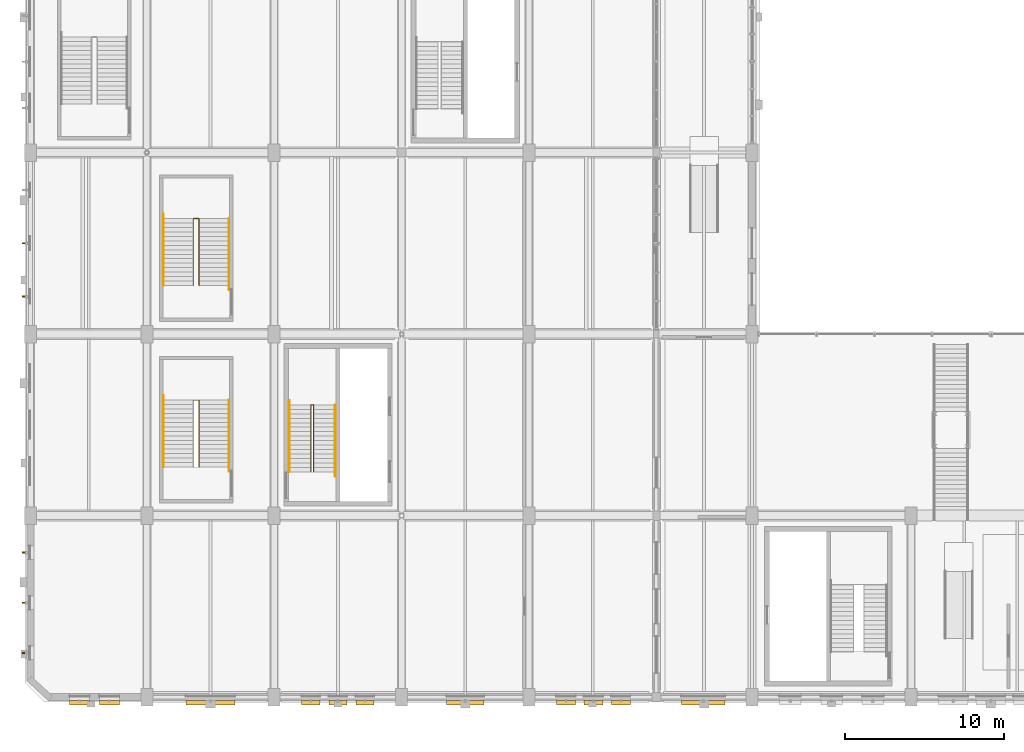
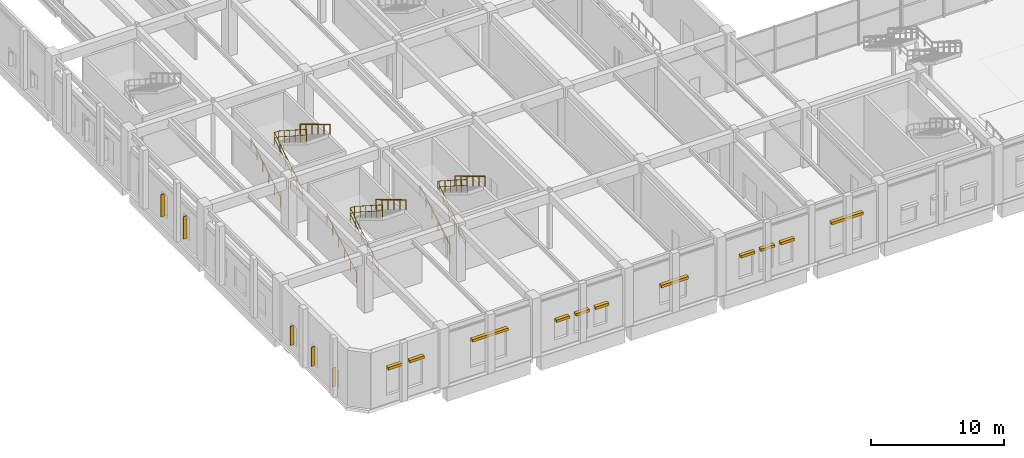
# One storey, part 106 of 113: 16 shading devices, 9 railings.
"""IFC4 building model written with IfcOpenShell, lengths in metres."""

from ifc_helpers import new_model, si_unit, direction, frame, origin, origin_2d, place, context, subcontext, project, spatial, rectangle, circle, extrude, material, type_object, element, save


model = new_model("IFC4")

# Units and contexts
model_context = context("Model", 3, precision=1e-05, world=origin(), true_north=direction((0.0, 1.0)))
body_context = subcontext(model_context, "Body", "Model", "MODEL_VIEW")
ifc_project = project(units=[si_unit("LENGTHUNIT", "METRE"), si_unit("AREAUNIT", "SQUARE_METRE"), si_unit("VOLUMEUNIT", "CUBIC_METRE"), si_unit("PLANEANGLEUNIT", "RADIAN"), si_unit("MASSUNIT", "GRAM", prefix="KILO"), si_unit("POWERUNIT", "WATT"), si_unit("THERMODYNAMICTEMPERATUREUNIT", "KELVIN")], contexts=[model_context])

# Site, building, storey
site_placement = place(None, origin())
site = spatial("IfcSite", under=ifc_project, at=site_placement, CompositionType="ELEMENT")
building_placement = place(site_placement, origin())
building = spatial("IfcBuilding", under=site, at=building_placement, Name="Kelmbourne Parkland Aquatics Centre", CompositionType="ELEMENT")
storey_placement = place(building_placement, origin())
storey = spatial("IfcBuildingStorey", under=building, at=storey_placement, Name="L00", CompositionType="ELEMENT", Elevation=0.0)

# Railings
ifc_material_1 = material(Name="Grade 316 marine stainless steel", Category="steel")
railing_type_1 = type_object("IfcRailingType", Name="RL-GD-112", PredefinedType="GUARDRAIL", material=ifc_material_1)
railing_1_placement = place(storey_placement, frame((18.307373046875, 14.949951171875, 0.0)))
element("IfcRailing", 1, at=railing_1_placement, inside=storey, type_object=railing_type_1, Name="West Wing South Fire-Fighting Core Stair ST01 well guardrail", PredefinedType="GUARDRAIL", context=body_context, shape_type="SweptSolid", body=[
    extrude(circle(Radius=0.02392578125, at=origin_2d()), frame((0.0, 0.0, 1.09619140625), z_axis=(0.0, 0.841180064094, 0.540755119968), x_axis=(-1.0, 0.0, 0.0)), (0.0, 0.0, 1.0), 4.992919921875),
    extrude(circle(Radius=0.02392578125, at=origin_2d()), frame((0.0, 0.0, 0.56005859375), z_axis=(0.0, 0.841180064094, 0.540755119968), x_axis=(-1.0, 0.0, 0.0)), (0.0, 0.0, 1.0), 4.992919921875),
    extrude(circle(Radius=0.02392578125, at=origin_2d()), frame((0.0, 4.199951171875, 3.7958984375), z_axis=(1.0, 0.0, 0.0), x_axis=(0.0, 1.0, 0.0)), (0.0, 0.0, 1.0), 0.16015625),
    extrude(circle(Radius=0.02392578125, at=origin_2d()), frame((0.0, 4.199951171875, 3.260009765625), z_axis=(1.0, 0.0, 0.0), x_axis=(0.0, 1.0, 0.0)), (0.0, 0.0, 1.0), 0.16015625),
    extrude(circle(Radius=0.02392578125, at=origin_2d()), frame((0.16015625, 4.199951171875, 3.7958984375), z_axis=(0.0, -0.841180064094, 0.540755119968), x_axis=(1.0, 0.0, 0.0)), (0.0, 0.0, 1.0), 4.992919921875),
    extrude(circle(Radius=0.02392578125, at=origin_2d()), frame((0.16015625, 4.199951171875, 3.260009765625), z_axis=(0.0, -0.841180064094, 0.540755119968), x_axis=(1.0, 0.0, 0.0)), (0.0, 0.0, 1.0), 4.992919921875),
    extrude(circle(Radius=0.02099609375, at=origin_2d()), origin(), (0.0, 0.0, 1.0), 1.072021484375),
    extrude(circle(Radius=0.02099609375, at=origin_2d()), frame((0.0, 0.840087890625, 0.5400390625)), (0.0, 0.0, 1.0), 1.072021484375),
    extrude(circle(Radius=0.02099609375, at=origin_2d()), frame((0.0, 1.679931640625, 1.080078125)), (0.0, 0.0, 1.0), 1.072021484375),
    extrude(circle(Radius=0.02099609375, at=origin_2d()), frame((0.0, 2.52001953125, 1.619873046875)), (0.0, 0.0, 1.0), 1.072021484375),
    extrude(circle(Radius=0.02099609375, at=origin_2d()), frame((0.0, 3.35986328125, 2.159912109375)), (0.0, 0.0, 1.0), 1.072021484375),
    extrude(circle(Radius=0.02099609375, at=origin_2d()), frame((0.0, 4.199951171875, 2.699951171875)), (0.0, 0.0, 1.0), 1.072021484375),
    extrude(circle(Radius=0.02099609375, at=origin_2d()), frame((0.16015625, 4.199951171875, 2.699951171875)), (0.0, 0.0, 1.0), 1.072021484375),
    extrude(circle(Radius=0.02099609375, at=origin_2d()), frame((0.16015625, 3.35986328125, 3.239990234375)), (0.0, 0.0, 1.0), 1.072021484375),
    extrude(circle(Radius=0.02099609375, at=origin_2d()), frame((0.16015625, 2.52001953125, 3.780029296875)), (0.0, 0.0, 1.0), 1.072021484375),
    extrude(circle(Radius=0.02099609375, at=origin_2d()), frame((0.16015625, 1.679931640625, 4.31982421875)), (0.0, 0.0, 1.0), 1.072021484375),
    extrude(circle(Radius=0.02099609375, at=origin_2d()), frame((0.16015625, 0.840087890625, 4.85986328125)), (0.0, 0.0, 1.0), 1.072021484375),
    extrude(circle(Radius=0.02099609375, at=origin_2d()), frame((0.16015625, 0.0, 5.39990234375)), (0.0, 0.0, 1.0), 1.072021484375),
])
railing_2_placement = place(storey_placement, frame((10.919921875, 15.25, 0.0)))
element("IfcRailing", 2, at=railing_2_placement, inside=storey, type_object=railing_type_1, Name="West South Perimeter Exit Stair well guardrail", PredefinedType="GUARDRAIL", context=body_context, shape_type="SweptSolid", body=[
    extrude(circle(Radius=0.02392578125, at=origin_2d()), frame((0.0, 0.0, 1.09619140625), z_axis=(0.0, 0.841180064094, 0.540755119968), x_axis=(-1.0, 0.0, 0.0)), (0.0, 0.0, 1.0), 4.992919921875),
    extrude(circle(Radius=0.02392578125, at=origin_2d()), frame((0.0, 0.0, 0.56005859375), z_axis=(0.0, 0.841180064094, 0.540755119968), x_axis=(-1.0, 0.0, 0.0)), (0.0, 0.0, 1.0), 4.992919921875),
    extrude(circle(Radius=0.02392578125, at=origin_2d()), frame((0.0, 4.199951171875, 3.7958984375), z_axis=(1.0, 0.0, 0.0), x_axis=(0.0, 1.0, 0.0)), (0.0, 0.0, 1.0), 0.360107421875),
    extrude(circle(Radius=0.02392578125, at=origin_2d()), frame((0.0, 4.199951171875, 3.260009765625), z_axis=(1.0, 0.0, 0.0), x_axis=(0.0, 1.0, 0.0)), (0.0, 0.0, 1.0), 0.360107421875),
    extrude(circle(Radius=0.02392578125, at=origin_2d()), frame((0.360107421875, 4.199951171875, 3.7958984375), z_axis=(0.0, -0.841180064094, 0.540755119968), x_axis=(1.0, 0.0, 0.0)), (0.0, 0.0, 1.0), 4.992919921875),
    extrude(circle(Radius=0.02392578125, at=origin_2d()), frame((0.360107421875, 4.199951171875, 3.260009765625), z_axis=(0.0, -0.841180064094, 0.540755119968), x_axis=(1.0, 0.0, 0.0)), (0.0, 0.0, 1.0), 4.992919921875),
    extrude(circle(Radius=0.02099609375, at=origin_2d()), origin(), (0.0, 0.0, 1.0), 1.072021484375),
    extrude(circle(Radius=0.02099609375, at=origin_2d()), frame((0.0, 0.840087890625, 0.5400390625)), (0.0, 0.0, 1.0), 1.072021484375),
    extrude(circle(Radius=0.02099609375, at=origin_2d()), frame((0.0, 1.679931640625, 1.080078125)), (0.0, 0.0, 1.0), 1.072021484375),
    extrude(circle(Radius=0.02099609375, at=origin_2d()), frame((0.0, 2.52001953125, 1.619873046875)), (0.0, 0.0, 1.0), 1.072021484375),
    extrude(circle(Radius=0.02099609375, at=origin_2d()), frame((0.0, 3.35986328125, 2.159912109375)), (0.0, 0.0, 1.0), 1.072021484375),
    extrude(circle(Radius=0.02099609375, at=origin_2d()), frame((0.0, 4.199951171875, 2.699951171875)), (0.0, 0.0, 1.0), 1.072021484375),
    extrude(circle(Radius=0.02099609375, at=origin_2d()), frame((0.360107421875, 4.199951171875, 2.699951171875)), (0.0, 0.0, 1.0), 1.072021484375),
    extrude(circle(Radius=0.02099609375, at=origin_2d()), frame((0.360107421875, 3.35986328125, 3.239990234375)), (0.0, 0.0, 1.0), 1.072021484375),
    extrude(circle(Radius=0.02099609375, at=origin_2d()), frame((0.360107421875, 2.52001953125, 3.780029296875)), (0.0, 0.0, 1.0), 1.072021484375),
    extrude(circle(Radius=0.02099609375, at=origin_2d()), frame((0.360107421875, 1.679931640625, 4.31982421875)), (0.0, 0.0, 1.0), 1.072021484375),
    extrude(circle(Radius=0.02099609375, at=origin_2d()), frame((0.360107421875, 0.840087890625, 4.85986328125)), (0.0, 0.0, 1.0), 1.072021484375),
    extrude(circle(Radius=0.02099609375, at=origin_2d()), frame((0.360107421875, 0.0, 5.39990234375)), (0.0, 0.0, 1.0), 1.072021484375),
])
railing_3_placement = place(storey_placement, frame((10.919921875, 26.64990234375, 0.0)))
element("IfcRailing", 3, at=railing_3_placement, inside=storey, type_object=railing_type_1, Name="West Central Park Exit Stair well guardrail", PredefinedType="GUARDRAIL", context=body_context, shape_type="SweptSolid", body=[
    extrude(circle(Radius=0.02392578125, at=origin_2d()), frame((0.0, 0.0, 1.09619140625), z_axis=(0.0, 0.841194361566, 0.540732878665), x_axis=(-1.0, 0.0, 0.0)), (0.0, 0.0, 1.0), 4.9931640625),
    extrude(circle(Radius=0.02392578125, at=origin_2d()), frame((0.0, 0.0, 0.56005859375), z_axis=(0.0, 0.841194361566, 0.540732878665), x_axis=(-1.0, 0.0, 0.0)), (0.0, 0.0, 1.0), 4.9931640625),
    extrude(circle(Radius=0.02392578125, at=origin_2d()), frame((0.0, 4.2001953125, 3.7958984375), z_axis=(1.0, 0.0, 0.0), x_axis=(0.0, 1.0, 0.0)), (0.0, 0.0, 1.0), 0.360107421875),
    extrude(circle(Radius=0.02392578125, at=origin_2d()), frame((0.0, 4.2001953125, 3.260009765625), z_axis=(1.0, 0.0, 0.0), x_axis=(0.0, 1.0, 0.0)), (0.0, 0.0, 1.0), 0.360107421875),
    extrude(circle(Radius=0.02392578125, at=origin_2d()), frame((0.360107421875, 4.2001953125, 3.7958984375), z_axis=(0.0, -0.841194361566, 0.540732878665), x_axis=(1.0, 0.0, 0.0)), (0.0, 0.0, 1.0), 4.9931640625),
    extrude(circle(Radius=0.02392578125, at=origin_2d()), frame((0.360107421875, 4.2001953125, 3.260009765625), z_axis=(0.0, -0.841194361566, 0.540732878665), x_axis=(1.0, 0.0, 0.0)), (0.0, 0.0, 1.0), 4.9931640625),
    extrude(circle(Radius=0.02099609375, at=origin_2d()), origin(), (0.0, 0.0, 1.0), 1.072021484375),
    extrude(circle(Radius=0.02099609375, at=origin_2d()), frame((0.0, 0.840087890625, 0.5400390625)), (0.0, 0.0, 1.0), 1.072021484375),
    extrude(circle(Radius=0.02099609375, at=origin_2d()), frame((0.0, 1.68017578125, 1.080078125)), (0.0, 0.0, 1.0), 1.072021484375),
    extrude(circle(Radius=0.02099609375, at=origin_2d()), frame((0.0, 2.52001953125, 1.619873046875)), (0.0, 0.0, 1.0), 1.072021484375),
    extrude(circle(Radius=0.02099609375, at=origin_2d()), frame((0.0, 3.360107421875, 2.159912109375)), (0.0, 0.0, 1.0), 1.072021484375),
    extrude(circle(Radius=0.02099609375, at=origin_2d()), frame((0.0, 4.2001953125, 2.699951171875)), (0.0, 0.0, 1.0), 1.072021484375),
    extrude(circle(Radius=0.02099609375, at=origin_2d()), frame((0.360107421875, 4.2001953125, 2.699951171875)), (0.0, 0.0, 1.0), 1.072021484375),
    extrude(circle(Radius=0.02099609375, at=origin_2d()), frame((0.360107421875, 3.360107421875, 3.239990234375)), (0.0, 0.0, 1.0), 1.072021484375),
    extrude(circle(Radius=0.02099609375, at=origin_2d()), frame((0.360107421875, 2.52001953125, 3.780029296875)), (0.0, 0.0, 1.0), 1.072021484375),
    extrude(circle(Radius=0.02099609375, at=origin_2d()), frame((0.360107421875, 1.68017578125, 4.31982421875)), (0.0, 0.0, 1.0), 1.072021484375),
    extrude(circle(Radius=0.02099609375, at=origin_2d()), frame((0.360107421875, 0.840087890625, 4.85986328125)), (0.0, 0.0, 1.0), 1.072021484375),
    extrude(circle(Radius=0.02099609375, at=origin_2d()), frame((0.360107421875, 0.0, 5.39990234375)), (0.0, 0.0, 1.0), 1.072021484375),
])
railing_type_2 = type_object("IfcRailingType", Name="RL-HR-92", PredefinedType="HANDRAIL", material=ifc_material_1)
railing_4_placement = place(storey_placement, frame((16.93994140625, 14.949951171875, 0.168701171875)))
element("IfcRailing", 4, at=railing_4_placement, inside=storey, type_object=railing_type_2, Name="West Wing South Fire-Fighting Core Stair ST01 F1 handrail", PredefinedType="HANDRAIL", context=body_context, shape_type="SweptSolid", body=[
    extrude(circle(Radius=0.02392578125, at=origin_2d()), frame((0.0, 0.0, 0.89599609375), z_axis=(0.0, 0.856461642802, 0.516210668632), x_axis=(-1.0, 0.0, 0.0)), (0.0, 0.0, 1.0), 5.230712890625),
    extrude(circle(Radius=0.02099609375, at=origin_2d()), origin(), (0.0, 0.0, 1.0), 0.871826171875),
    extrude(circle(Radius=0.02099609375, at=origin_2d()), frame((0.0, 0.89599609375, 0.5400390625)), (0.0, 0.0, 1.0), 0.871826171875),
    extrude(circle(Radius=0.02099609375, at=origin_2d()), frame((0.0, 1.7919921875, 1.080078125)), (0.0, 0.0, 1.0), 0.871826171875),
    extrude(circle(Radius=0.02099609375, at=origin_2d()), frame((0.0, 2.68798828125, 1.6201171875)), (0.0, 0.0, 1.0), 0.871826171875),
    extrude(circle(Radius=0.02099609375, at=origin_2d()), frame((0.0, 3.583984375, 2.16015625)), (0.0, 0.0, 1.0), 0.871826171875),
    extrude(circle(Radius=0.02099609375, at=origin_2d()), frame((0.0, 4.47998046875, 2.7001953125)), (0.0, 0.0, 1.0), 0.871826171875),
])
railing_5_placement = place(storey_placement, frame((19.8349609375, 19.14990234375, 2.868896484375)))
element("IfcRailing", 5, at=railing_5_placement, inside=storey, type_object=railing_type_2, Name="West Wing South Fire-Fighting Core Stair ST01 F2 handrail", PredefinedType="HANDRAIL", context=body_context, shape_type="SweptSolid", body=[
    extrude(circle(Radius=0.02392578125, at=origin_2d()), frame((0.0, 0.0, 0.89599609375), z_axis=(0.0, -0.856482277723, 0.516176431026), x_axis=(1.0, 0.0, 0.0)), (0.0, 0.0, 1.0), 5.230712890625),
    extrude(circle(Radius=0.02099609375, at=origin_2d()), origin(), (0.0, 0.0, 1.0), 0.871826171875),
    extrude(circle(Radius=0.02099609375, at=origin_2d()), frame((0.0, -0.89599609375, 0.5400390625)), (0.0, 0.0, 1.0), 0.871826171875),
    extrude(circle(Radius=0.02099609375, at=origin_2d()), frame((0.0, -1.7919921875, 1.080078125)), (0.0, 0.0, 1.0), 0.871826171875),
    extrude(circle(Radius=0.02099609375, at=origin_2d()), frame((0.0, -2.68798828125, 1.619873046875)), (0.0, 0.0, 1.0), 0.871826171875),
    extrude(circle(Radius=0.02099609375, at=origin_2d()), frame((0.0, -3.583984375, 2.159912109375)), (0.0, 0.0, 1.0), 0.871826171875),
    extrude(circle(Radius=0.02099609375, at=origin_2d()), frame((0.0, -4.47998046875, 2.699951171875)), (0.0, 0.0, 1.0), 0.871826171875),
])
railing_6_placement = place(storey_placement, frame((9.0400390625, 15.25, 0.168701171875)))
element("IfcRailing", 6, at=railing_6_placement, inside=storey, type_object=railing_type_2, Name="West South Perimeter Exit Stair F1 handrail", PredefinedType="HANDRAIL", context=body_context, shape_type="SweptSolid", body=[
    extrude(circle(Radius=0.02392578125, at=origin_2d()), frame((0.0, 0.0, 0.89599609375), z_axis=(0.0, 0.856461642802, 0.516210668632), x_axis=(-1.0, 0.0, 0.0)), (0.0, 0.0, 1.0), 5.230712890625),
    extrude(circle(Radius=0.02099609375, at=origin_2d()), origin(), (0.0, 0.0, 1.0), 0.871826171875),
    extrude(circle(Radius=0.02099609375, at=origin_2d()), frame((0.0, 0.89599609375, 0.5400390625)), (0.0, 0.0, 1.0), 0.871826171875),
    extrude(circle(Radius=0.02099609375, at=origin_2d()), frame((0.0, 1.7919921875, 1.080078125)), (0.0, 0.0, 1.0), 0.871826171875),
    extrude(circle(Radius=0.02099609375, at=origin_2d()), frame((0.0, 2.68798828125, 1.6201171875)), (0.0, 0.0, 1.0), 0.871826171875),
    extrude(circle(Radius=0.02099609375, at=origin_2d()), frame((0.0, 3.583984375, 2.16015625)), (0.0, 0.0, 1.0), 0.871826171875),
    extrude(circle(Radius=0.02099609375, at=origin_2d()), frame((0.0, 4.47998046875, 2.7001953125)), (0.0, 0.0, 1.0), 0.871826171875),
])
railing_7_placement = place(storey_placement, frame((13.159912109375, 19.449951171875, 2.868896484375)))
element("IfcRailing", 7, at=railing_7_placement, inside=storey, type_object=railing_type_2, Name="West South Perimeter Exit Stair F2 handrail", PredefinedType="HANDRAIL", context=body_context, shape_type="SweptSolid", body=[
    extrude(circle(Radius=0.02392578125, at=origin_2d()), frame((0.0, 0.0, 0.89599609375), z_axis=(0.0, -0.856482277723, 0.516176431026), x_axis=(1.0, 0.0, 0.0)), (0.0, 0.0, 1.0), 5.230712890625),
    extrude(circle(Radius=0.02099609375, at=origin_2d()), origin(), (0.0, 0.0, 1.0), 0.871826171875),
    extrude(circle(Radius=0.02099609375, at=origin_2d()), frame((0.0, -0.89599609375, 0.5400390625)), (0.0, 0.0, 1.0), 0.871826171875),
    extrude(circle(Radius=0.02099609375, at=origin_2d()), frame((0.0, -1.7919921875, 1.080078125)), (0.0, 0.0, 1.0), 0.871826171875),
    extrude(circle(Radius=0.02099609375, at=origin_2d()), frame((0.0, -2.68798828125, 1.619873046875)), (0.0, 0.0, 1.0), 0.871826171875),
    extrude(circle(Radius=0.02099609375, at=origin_2d()), frame((0.0, -3.583984375, 2.159912109375)), (0.0, 0.0, 1.0), 0.871826171875),
    extrude(circle(Radius=0.02099609375, at=origin_2d()), frame((0.0, -4.47998046875, 2.699951171875)), (0.0, 0.0, 1.0), 0.871826171875),
])
railing_8_placement = place(storey_placement, frame((9.0400390625, 26.64990234375, 0.168701171875)))
element("IfcRailing", 8, at=railing_8_placement, inside=storey, type_object=railing_type_2, Name="West Central Park Exit Stair F1 handrail", PredefinedType="HANDRAIL", context=body_context, shape_type="SweptSolid", body=[
    extrude(circle(Radius=0.02392578125, at=origin_2d()), frame((0.0, 0.0, 0.89599609375), z_axis=(0.0, 0.856461642802, 0.516210668632), x_axis=(-1.0, 0.0, 0.0)), (0.0, 0.0, 1.0), 5.230712890625),
    extrude(circle(Radius=0.02099609375, at=origin_2d()), origin(), (0.0, 0.0, 1.0), 0.871826171875),
    extrude(circle(Radius=0.02099609375, at=origin_2d()), frame((0.0, 0.89599609375, 0.5400390625)), (0.0, 0.0, 1.0), 0.871826171875),
    extrude(circle(Radius=0.02099609375, at=origin_2d()), frame((0.0, 1.7919921875, 1.080078125)), (0.0, 0.0, 1.0), 0.871826171875),
    extrude(circle(Radius=0.02099609375, at=origin_2d()), frame((0.0, 2.68798828125, 1.6201171875)), (0.0, 0.0, 1.0), 0.871826171875),
    extrude(circle(Radius=0.02099609375, at=origin_2d()), frame((0.0, 3.583984375, 2.16015625)), (0.0, 0.0, 1.0), 0.871826171875),
    extrude(circle(Radius=0.02099609375, at=origin_2d()), frame((0.0, 4.47998046875, 2.7001953125)), (0.0, 0.0, 1.0), 0.871826171875),
])
railing_9_placement = place(storey_placement, frame((13.159912109375, 30.85009765625, 2.868896484375)))
element("IfcRailing", 9, at=railing_9_placement, inside=storey, type_object=railing_type_2, Name="West Central Park Exit Stair F2 handrail", PredefinedType="HANDRAIL", context=body_context, shape_type="SweptSolid", body=[
    extrude(circle(Radius=0.02392578125, at=origin_2d()), frame((0.0, 0.0, 0.89599609375), z_axis=(0.0, -0.856482277723, 0.516176431026), x_axis=(1.0, 0.0, 0.0)), (0.0, 0.0, 1.0), 5.230712890625),
    extrude(circle(Radius=0.02099609375, at=origin_2d()), origin(), (0.0, 0.0, 1.0), 0.871826171875),
    extrude(circle(Radius=0.02099609375, at=origin_2d()), frame((0.0, -0.89599609375, 0.5400390625)), (0.0, 0.0, 1.0), 0.871826171875),
    extrude(circle(Radius=0.02099609375, at=origin_2d()), frame((0.0, -1.7919921875, 1.080078125)), (0.0, 0.0, 1.0), 0.871826171875),
    extrude(circle(Radius=0.02099609375, at=origin_2d()), frame((0.0, -2.68798828125, 1.619873046875)), (0.0, 0.0, 1.0), 0.871826171875),
    extrude(circle(Radius=0.02099609375, at=origin_2d()), frame((0.0, -3.583984375, 2.159912109375)), (0.0, 0.0, 1.0), 0.871826171875),
    extrude(circle(Radius=0.02099609375, at=origin_2d()), frame((0.0, -4.47998046875, 2.699951171875)), (0.0, 0.0, 1.0), 0.871826171875),
])

# Shading devices
ifc_material_2 = material(Name="Architectural extruded terracotta baguettes", Category="masonry")
shading_device_type_1 = type_object("IfcShadingDeviceType", Name="SHD-FIN-1", PredefinedType="USERDEFINED", material=ifc_material_2)
for number, where, z_axis, x_axis, name in (
    (10, (0.344970703125, 3.574951171875, 0.75), (0.0, 0.0, 1.0), (0.0, 1.0, 0.0), "Terracotta vertical solar fin 001"),
    (11, (0.344970703125, 6.72412109375, 0.75), (0.0, 0.0, 1.0), (0.0, 1.0, 0.0), "Terracotta vertical solar fin 002"),
    (12, (0.344970703125, 9.873046875, 0.75), (0.0, 0.0, 1.0), (0.0, 1.0, 0.0), "Terracotta vertical solar fin 003"),
):
    element("IfcShadingDevice", number, at=place(storey_placement, frame(where, z_axis=z_axis, x_axis=x_axis)), inside=storey, type_object=shading_device_type_1, Name=name, ObjectType="SOLAR FIN", PredefinedType="USERDEFINED", context=body_context, shape_type="SweptSolid", body=[
        extrude(rectangle(XDim=0.080078125, YDim=0.320068359375, at=origin_2d()), origin(), (0.0, 0.0, 1.0), 1.75),
    ])
for number, where, z_axis, x_axis, name in (
    (13, (0.344970703125, 25.951904296875, 0.75), (0.0, 0.0, 1.0), (0.0, 1.0, 0.0), "Terracotta vertical solar fin 004"),
    (14, (0.344970703125, 29.300048828125, 0.75), (0.0, 0.0, 1.0), (0.0, 1.0, 0.0), "Terracotta vertical solar fin 005"),
):
    element("IfcShadingDevice", number, at=place(storey_placement, frame(where, z_axis=z_axis, x_axis=x_axis)), inside=storey, type_object=shading_device_type_1, Name=name, ObjectType="SOLAR FIN", PredefinedType="USERDEFINED", context=body_context, shape_type="SweptSolid", body=[
        extrude(rectangle(XDim=0.080078125, YDim=0.320068359375, at=origin_2d()), origin(), (0.0, 0.0, 1.0), 2.050048828125),
    ])
shading_device_type_2 = type_object("IfcShadingDeviceType", Name="SHD-JAL-1", PredefinedType="JALOUSIE", material=ifc_material_2)
for number, where, z_axis, x_axis, name in (
    (15, (3.77490234375, 0.445068359375, 3.25), (0.0, 0.0, 1.0), (1.0, 0.0, 0.0), "Terracotta horizontal jalousie hood 022"),
    (16, (5.64794921875, 0.445068359375, 3.25), (0.0, 0.0, 1.0), (1.0, 0.0, 0.0), "Terracotta horizontal jalousie hood 023"),
):
    element("IfcShadingDevice", number, at=place(storey_placement, frame(where, z_axis=z_axis, x_axis=x_axis)), inside=storey, type_object=shading_device_type_2, Name=name, PredefinedType="JALOUSIE", context=body_context, shape_type="SweptSolid", body=[
        extrude(rectangle(XDim=1.25, YDim=0.300048828125, at=origin_2d()), origin(), (0.0, 0.0, 1.0), 0.239990234375),
    ])
shading_device_1_placement = place(storey_placement, frame((12.0, 0.445068359375, 3.25), z_axis=(0.0, 0.0, 1.0), x_axis=(1.0, 0.0, 0.0)))
element("IfcShadingDevice", 17, at=shading_device_1_placement, inside=storey, type_object=shading_device_type_2, Name="Terracotta horizontal jalousie hood 024", PredefinedType="JALOUSIE", context=body_context, shape_type="SweptSolid", body=[
    extrude(rectangle(XDim=3.10009765625, YDim=0.300048828125, at=origin_2d()), origin(), (0.0, 0.0, 1.0), 0.239990234375),
])
for number, where, z_axis, x_axis, name in (
    (18, (18.302001953125, 0.445068359375, 2.5), (0.0, 0.0, 1.0), (1.0, 0.0, 0.0), "Terracotta horizontal jalousie hood 025"),
    (19, (20.0, 0.445068359375, 2.5), (0.0, 0.0, 1.0), (1.0, 0.0, 0.0), "Terracotta horizontal jalousie hood 026"),
    (20, (21.697998046875, 0.445068359375, 2.5), (0.0, 0.0, 1.0), (1.0, 0.0, 0.0), "Terracotta horizontal jalousie hood 027"),
):
    element("IfcShadingDevice", number, at=place(storey_placement, frame(where, z_axis=z_axis, x_axis=x_axis)), inside=storey, type_object=shading_device_type_2, Name=name, PredefinedType="JALOUSIE", context=body_context, shape_type="SweptSolid", body=[
        extrude(rectangle(XDim=1.14990234375, YDim=0.300048828125, at=origin_2d()), origin(), (0.0, 0.0, 1.0), 0.239990234375),
    ])
shading_device_2_placement = place(storey_placement, frame((28.0, 0.445068359375, 2.5), z_axis=(0.0, 0.0, 1.0), x_axis=(1.0, 0.0, 0.0)))
element("IfcShadingDevice", 21, at=shading_device_2_placement, inside=storey, type_object=shading_device_type_2, Name="Terracotta horizontal jalousie hood 028", PredefinedType="JALOUSIE", context=body_context, shape_type="SweptSolid", body=[
    extrude(rectangle(XDim=2.35009765625, YDim=0.300048828125, at=origin_2d()), origin(), (0.0, 0.0, 1.0), 0.239990234375),
])
for number, where, z_axis, x_axis, name in (
    (22, (34.326904296875, 0.445068359375, 2.7998046875), (0.0, 0.0, 1.0), (1.0, 0.0, 0.0), "Terracotta horizontal jalousie hood 029"),
    (23, (36.050048828125, 0.445068359375, 2.7998046875), (0.0, 0.0, 1.0), (1.0, 0.0, 0.0), "Terracotta horizontal jalousie hood 030"),
    (24, (37.77294921875, 0.445068359375, 2.7998046875), (0.0, 0.0, 1.0), (1.0, 0.0, 0.0), "Terracotta horizontal jalousie hood 031"),
):
    element("IfcShadingDevice", number, at=place(storey_placement, frame(where, z_axis=z_axis, x_axis=x_axis)), inside=storey, type_object=shading_device_type_2, Name=name, PredefinedType="JALOUSIE", context=body_context, shape_type="SweptSolid", body=[
        extrude(rectangle(XDim=1.199951171875, YDim=0.300048828125, at=origin_2d()), origin(), (0.0, 0.0, 1.0), 0.239990234375),
    ])
shading_device_3_placement = place(storey_placement, frame((42.949951171875, 0.445068359375, 3.10009765625), z_axis=(0.0, 0.0, 1.0), x_axis=(1.0, 0.0, 0.0)))
element("IfcShadingDevice", 25, at=shading_device_3_placement, inside=storey, type_object=shading_device_type_2, Name="Terracotta horizontal jalousie hood 045", PredefinedType="JALOUSIE", context=body_context, shape_type="SweptSolid", body=[
    extrude(rectangle(XDim=2.75, YDim=0.300048828125, at=origin_2d()), origin(), (0.0, 0.0, 1.0), 0.239990234375),
])

save(model, "model.ifc")
